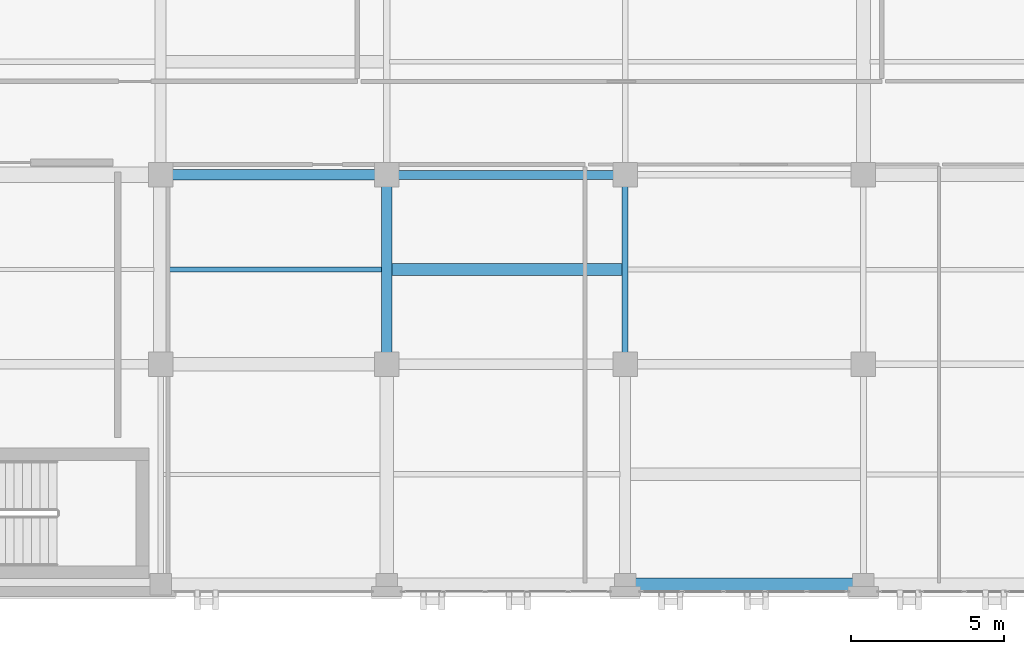
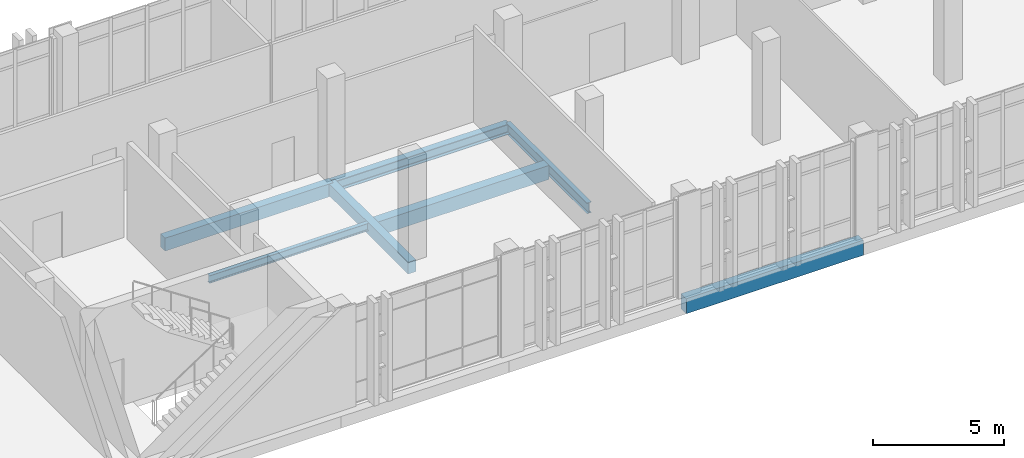
# One storey, part 116 of 189: 7 beams.
"""IFC4 building model written with IfcOpenShell, lengths in metres."""

from ifc_helpers import new_model, si_unit, direction, frame, origin, origin_2d, place, context, subcontext, project, spatial, rectangle, i_section, extrude, material, material_profile, profile_set, type_object, element, save


model = new_model("IFC4")

# Units and contexts
model_context = context("Model", 3, precision=1e-05, world=origin(), true_north=direction((0.0, 1.0)))
body_context = subcontext(model_context, "Body", "Model", "MODEL_VIEW")
ifc_project = project(units=[si_unit("LENGTHUNIT", "METRE"), si_unit("AREAUNIT", "SQUARE_METRE"), si_unit("VOLUMEUNIT", "CUBIC_METRE"), si_unit("PLANEANGLEUNIT", "RADIAN"), si_unit("MASSUNIT", "GRAM", prefix="KILO")], contexts=[model_context])

# Site, building, storey
site_placement = place(None, origin())
site = spatial("IfcSite", under=ifc_project, at=site_placement, CompositionType="ELEMENT")
building_placement = place(site_placement, origin())
building = spatial("IfcBuilding", under=site, at=building_placement, Name="Qalavern Law Courts", CompositionType="ELEMENT")
storey_placement = place(building_placement, frame((0.0, 0.0, 5.39990234375)))
storey = spatial("IfcBuildingStorey", under=building, at=storey_placement, Name="L01", CompositionType="ELEMENT", Elevation=5.39990234375)

# Beams
ifc_material_1 = material(Name="Steel S355", Category="steel")
ifc_material_profile_1 = material_profile(ifc_material_1, i_section(OverallWidth=0.300048828125, OverallDepth=0.489990234375, WebThickness=0.011962890625, FlangeThickness=0.02294921875, FilletRadius=0.027099609375, at=origin_2d()), Name="HEA 500")
ifc_profile_set_1 = profile_set([ifc_material_profile_1], Name="Steel S355")
beam_type_1 = type_object("IfcBeamType", Name="STR-BM-HEA500", PredefinedType="BEAM", material=ifc_profile_set_1)
beam_1_placement = place(storey_placement, frame((134.199951171875, 14.800048828125, -0.544921875), z_axis=(1.0, 0.0, 0.0), x_axis=(0.0, 1.0, 0.0)))
element("IfcBeam", 1, at=beam_1_placement, inside=storey, type_object=beam_type_1, Name="V6 X-beam 3-5 L01", PredefinedType="BEAM", context=body_context, shape_type="SweptSolid", body=[
    extrude(i_section(OverallWidth=0.300048828125, OverallDepth=0.489990234375, WebThickness=0.011962890625, FlangeThickness=0.02294921875, FilletRadius=0.027099609375, at=origin_2d()), origin(), (0.0, 0.0, 1.0), 7.800048828125),
])
ifc_material_profile_2 = material_profile(ifc_material_1, i_section(OverallWidth=0.199951171875, OverallDepth=0.5, WebThickness=0.01025390625, FlangeThickness=0.01611328125, FilletRadius=0.02099609375, at=origin_2d()), Name="IPE 500")
ifc_profile_set_2 = profile_set([ifc_material_profile_2], Name="Steel S355")
beam_type_2 = type_object("IfcBeamType", Name="STR-BM-IPE500", PredefinedType="BEAM", material=ifc_profile_set_2)
beam_2_placement = place(storey_placement, frame((142.0, 8.60009765625, -0.5498046875), z_axis=(0.0, 1.0, 0.0), x_axis=(-1.0, 0.0, 0.0)))
element("IfcBeam", 2, at=beam_2_placement, inside=storey, type_object=beam_type_2, Name="V6 Y-beam 6-2 L01", PredefinedType="BEAM", context=body_context, shape_type="SweptSolid", body=[
    extrude(i_section(OverallWidth=0.199951171875, OverallDepth=0.5, WebThickness=0.01025390625, FlangeThickness=0.01611328125, FilletRadius=0.02099609375, at=origin_2d()), origin(), (0.0, 0.0, 1.0), 6.199951171875),
])
ifc_material_2 = material(Name="Concrete C35/45", Category="concrete")
ifc_material_profile_3 = material_profile(ifc_material_2, rectangle(XDim=0.35009765625, YDim=0.550048828125, at=origin_2d()), Name="RC 350x550")
ifc_profile_set_3 = profile_set([ifc_material_profile_3], Name="Concrete C35/45")
beam_type_3 = type_object("IfcBeamType", Name="STR-BM-RC350x550", PredefinedType="BEAM", material=ifc_profile_set_3)
beam_3_placement = place(storey_placement, frame((134.199951171875, 8.60009765625, -0.574951171875), z_axis=(0.0, 1.0, 0.0), x_axis=(-1.0, 0.0, 0.0)))
element("IfcBeam", 3, at=beam_3_placement, inside=storey, type_object=beam_type_3, Name="V6 Y-beam 5-2 L01", PredefinedType="BEAM", context=body_context, shape_type="SweptSolid", body=[
    extrude(rectangle(XDim=0.35009765625, YDim=0.550048828125, at=origin_2d()), origin(), (0.0, 0.0, 1.0), 6.199951171875),
])
ifc_material_profile_4 = material_profile(ifc_material_2, rectangle(XDim=0.35009765625, YDim=0.60009765625, at=origin_2d()), Name="RC 350x600")
ifc_profile_set_4 = profile_set([ifc_material_profile_4], Name="Concrete C35/45")
beam_type_4 = type_object("IfcBeamType", Name="STR-BM-RC350x600", PredefinedType="BEAM", material=ifc_profile_set_4)
beam_4_placement = place(storey_placement, frame((126.800048828125, 14.800048828125, -0.599853515625), z_axis=(1.0, 0.0, 0.0), x_axis=(0.0, 1.0, 0.0)))
element("IfcBeam", 4, at=beam_4_placement, inside=storey, type_object=beam_type_4, Name="V6 X-beam 3-4 L01", PredefinedType="BEAM", context=body_context, shape_type="SweptSolid", body=[
    extrude(rectangle(XDim=0.35009765625, YDim=0.60009765625, at=origin_2d()), origin(), (0.0, 0.0, 1.0), 7.39990234375),
])
ifc_material_profile_5 = material_profile(ifc_material_1, i_section(OverallWidth=0.169921875, OverallDepth=0.360107421875, WebThickness=0.008056640625, FlangeThickness=0.0126953125, FilletRadius=0.01806640625, at=origin_2d()), Name="IPE 360")
ifc_profile_set_5 = profile_set([ifc_material_profile_5], Name="Steel S355")
beam_type_5 = type_object("IfcBeamType", Name="STR-JST-IPE360", PredefinedType="JOIST", material=ifc_profile_set_5)
beam_5_placement = place(storey_placement, frame((127.02294921875, 11.699951171875, -0.47998046875), z_axis=(1.0, 0.0, 0.0), x_axis=(0.0, 1.0, 0.0)))
element("IfcBeam", 5, at=beam_5_placement, inside=storey, type_object=beam_type_5, Name="V6 secondary joist 4.2.1 L01", PredefinedType="JOIST", context=body_context, shape_type="SweptSolid", body=[
    extrude(i_section(OverallWidth=0.169921875, OverallDepth=0.360107421875, WebThickness=0.008056640625, FlangeThickness=0.0126953125, FilletRadius=0.01806640625, at=origin_2d()), origin(), (0.0, 0.0, 1.0), 7.004150390625),
])
ifc_material_profile_6 = material_profile(ifc_material_2, rectangle(XDim=0.39990234375, YDim=0.64990234375, at=origin_2d()), Name="RC 400x650")
ifc_profile_set_6 = profile_set([ifc_material_profile_6], Name="Concrete C35/45")
beam_type_6 = type_object("IfcBeamType", Name="STR-JST-RC400x650", PredefinedType="JOIST", material=ifc_profile_set_6)
beam_6_placement = place(storey_placement, frame((134.373046875, 11.699951171875, -0.625), z_axis=(1.0, 0.0, 0.0), x_axis=(0.0, 1.0, 0.0)))
element("IfcBeam", 6, at=beam_6_placement, inside=storey, type_object=beam_type_6, Name="V6 secondary joist 5.2.1 L01", PredefinedType="JOIST", context=body_context, shape_type="SweptSolid", body=[
    extrude(rectangle(XDim=0.39990234375, YDim=0.64990234375, at=origin_2d()), origin(), (0.0, 0.0, 1.0), 7.529052734375),
])
ifc_material_3 = material(Name="Concrete C40/50", Category="concrete")
ifc_material_profile_7 = material_profile(ifc_material_3, rectangle(XDim=0.39990234375, YDim=0.699951171875, at=origin_2d()), Name="RC 400x700")
ifc_profile_set_7 = profile_set([ifc_material_profile_7], Name="Concrete C40/50")
beam_type_7 = type_object("IfcBeamType", Name="STR-SP-RC400x700", PredefinedType="SPANDREL", material=ifc_profile_set_7)
beam_7_placement = place(storey_placement, frame((142.0, 1.39990234375, -0.64990234375), z_axis=(1.0, 0.0, 0.0), x_axis=(0.0, 1.0, 0.0)))
element("IfcBeam", 7, at=beam_7_placement, inside=storey, type_object=beam_type_7, Name="V6 X-beam 1-6 L01", PredefinedType="SPANDREL", context=body_context, shape_type="SweptSolid", body=[
    extrude(rectangle(XDim=0.39990234375, YDim=0.699951171875, at=origin_2d()), origin(), (0.0, 0.0, 1.0), 7.800048828125),
])

save(model, "model.ifc")
